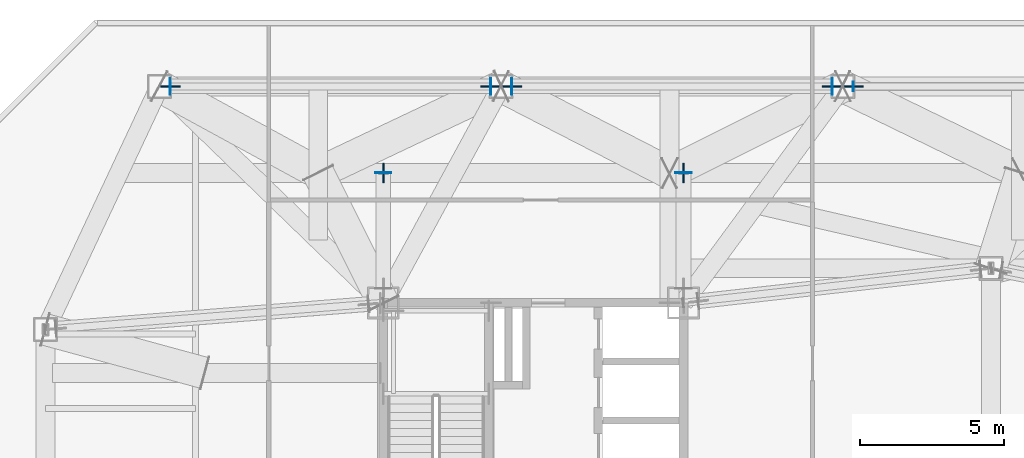
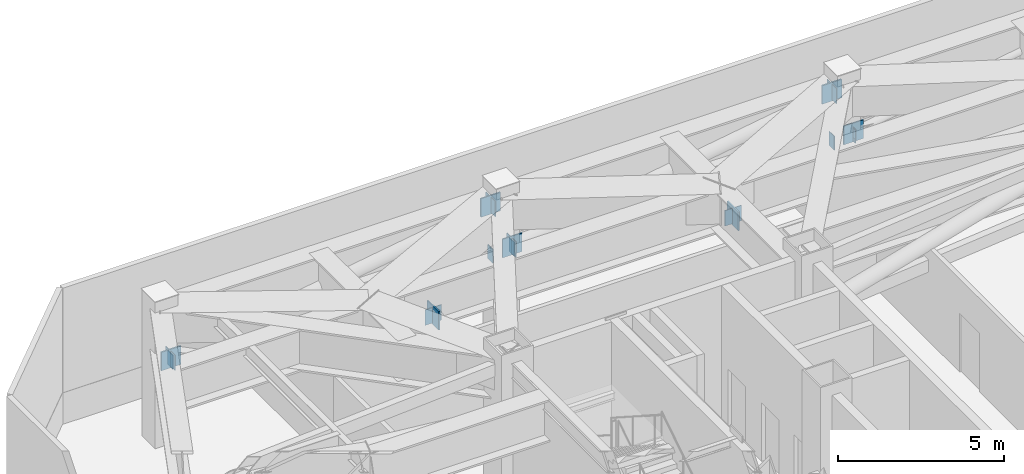
# One storey, part 12 of 19: 19 plates.
"""IFC4 building model written with IfcOpenShell, lengths in metres."""

from ifc_helpers import new_model, si_unit, direction, frame, origin, origin_2d, place, context, subcontext, project, spatial, rectangle, extrude, material, layer, layer_set, type_object, element, save


model = new_model("IFC4")

# Units and contexts
model_context = context("Model", 3, precision=1e-05, world=origin(), true_north=direction((0.0, 1.0)))
body_context = subcontext(model_context, "Body", "Model", "MODEL_VIEW")
ifc_project = project(units=[si_unit("LENGTHUNIT", "METRE"), si_unit("AREAUNIT", "SQUARE_METRE"), si_unit("VOLUMEUNIT", "CUBIC_METRE"), si_unit("PLANEANGLEUNIT", "RADIAN"), si_unit("MASSUNIT", "GRAM", prefix="KILO")], contexts=[model_context])

# Site, building, storey
site_placement = place(None, origin())
site = spatial("IfcSite", under=ifc_project, at=site_placement, CompositionType="ELEMENT")
building_placement = place(site_placement, origin())
building = spatial("IfcBuilding", under=site, at=building_placement, Name="Khamvora Tower", CompositionType="ELEMENT")
storey_placement = place(building_placement, frame((0.0, 0.0, 211.800048828125)))
storey = spatial("IfcBuildingStorey", under=building, at=storey_placement, Name="L54", CompositionType="ELEMENT", Elevation=211.800048828125)

# Plates
ifc_material_1 = material(Name="Steel S355", Category="steel")
ifc_layer_1 = layer(ifc_material_1, 0.02490234375)
ifc_layer_set_1 = layer_set([ifc_layer_1], Name="Steel S355")
plate_type_1 = type_object("IfcPlateType", Name="PL-CAP-25", PredefinedType="SHEET", material=ifc_layer_set_1)
for number, where, z_axis, x_axis, name in (
    (1, (21.616943359375, 44.5, 2.5048828125), (0.0, 0.0, 1.0), (1.0, 0.0, 0.0), "L54 hollow section steel end cap plate 1046"),
    (2, (32.716064453125, 44.5, 2.5048828125), (0.0, 0.0, 1.0), (1.0, 0.0, 0.0), "L54 hollow section steel end cap plate 1047"),
):
    element("IfcPlate", number, at=place(storey_placement, frame(where, z_axis=z_axis, x_axis=x_axis)), inside=storey, type_object=plate_type_1, Name=name, PredefinedType="SHEET", context=body_context, shape_type="SweptSolid", body=[
        extrude(rectangle(XDim=0.02490234375, YDim=0.31005859375, at=origin_2d()), origin(), (0.0, 0.0, 1.0), 0.510009765625),
    ])
for number, where, z_axis, x_axis, name in (
    (3, (21.613037109375, 44.5, 2.53271484375), (0.0, 0.0, 1.0), (1.0, 0.0, 0.0), "L54 hollow section steel end cap plate 1048"),
    (4, (32.719970703125, 44.5, 4.2890625), (0.0, 0.0, 1.0), (1.0, 0.0, 0.0), "L54 hollow section steel end cap plate 1049"),
):
    element("IfcPlate", number, at=place(storey_placement, frame(where, z_axis=z_axis, x_axis=x_axis)), inside=storey, type_object=plate_type_1, Name=name, PredefinedType="SHEET", context=body_context, shape_type="SweptSolid", body=[
        extrude(rectangle(XDim=0.02490234375, YDim=0.568115234375, at=origin_2d()), origin(), (0.0, 0.0, 1.0), 0.568115234375),
    ])
for number, where, z_axis, x_axis, name in (
    (5, (33.449951171875, 44.5, 2.5048828125), (0.0, 0.0, 1.0), (1.0, 0.0, 0.0), "L54 hollow section steel end cap plate 1050"),
    (6, (44.550048828125, 44.5, 2.5048828125), (0.0, 0.0, 1.0), (1.0, 0.0, 0.0), "L54 hollow section steel end cap plate 1051"),
):
    element("IfcPlate", number, at=place(storey_placement, frame(where, z_axis=z_axis, x_axis=x_axis)), inside=storey, type_object=plate_type_1, Name=name, PredefinedType="SHEET", context=body_context, shape_type="SweptSolid", body=[
        extrude(rectangle(XDim=0.02490234375, YDim=0.31005859375, at=origin_2d()), origin(), (0.0, 0.0, 1.0), 0.510009765625),
    ])
for number, where, z_axis, x_axis, name in (
    (7, (33.446044921875, 44.5, 2.53271484375), (0.0, 0.0, 1.0), (1.0, 0.0, 0.0), "L54 hollow section steel end cap plate 1052"),
    (8, (44.553955078125, 44.5, 4.2890625), (0.0, 0.0, 1.0), (1.0, 0.0, 0.0), "L54 hollow section steel end cap plate 1053"),
):
    element("IfcPlate", number, at=place(storey_placement, frame(where, z_axis=z_axis, x_axis=x_axis)), inside=storey, type_object=plate_type_1, Name=name, PredefinedType="SHEET", context=body_context, shape_type="SweptSolid", body=[
        extrude(rectangle(XDim=0.02490234375, YDim=0.568115234375, at=origin_2d()), origin(), (0.0, 0.0, 1.0), 0.568115234375),
    ])
plate_1_placement = place(storey_placement, frame((45.283935546875, 44.5, 2.5048828125), z_axis=(0.0, 0.0, 1.0), x_axis=(1.0, 0.0, 0.0)))
element("IfcPlate", 9, at=plate_1_placement, inside=storey, type_object=plate_type_1, Name="L54 hollow section steel end cap plate 1054", PredefinedType="SHEET", context=body_context, shape_type="SweptSolid", body=[
    extrude(rectangle(XDim=0.02490234375, YDim=0.31005859375, at=origin_2d()), origin(), (0.0, 0.0, 1.0), 0.510009765625),
])
for number, where, z_axis, x_axis, name in (
    (10, (29.0, 41.511962890625, 3.34912109375), (0.0, 0.0, 1.0), (0.0, 1.0, 0.0), "L54 hollow section steel end cap plate 1066"),
    (11, (39.39990234375, 41.511962890625, 3.34912109375), (0.0, 0.0, 1.0), (0.0, 1.0, 0.0), "L54 hollow section steel end cap plate 1068"),
):
    element("IfcPlate", number, at=place(storey_placement, frame(where, z_axis=z_axis, x_axis=x_axis)), inside=storey, type_object=plate_type_1, Name=name, PredefinedType="SHEET", context=body_context, shape_type="SweptSolid", body=[
        extrude(rectangle(XDim=0.02490234375, YDim=0.568115234375, at=origin_2d()), origin(), (0.0, 0.0, 1.0), 0.568115234375),
    ])
plate_2_placement = place(storey_placement, frame((45.280029296875, 44.5, 2.653564453125), z_axis=(0.0, 0.0, 1.0), x_axis=(1.0, 0.0, 0.0)))
element("IfcPlate", 12, at=plate_2_placement, inside=storey, type_object=plate_type_1, Name="L54 hollow section steel end cap plate 1128", PredefinedType="SHEET", context=body_context, shape_type="SweptSolid", body=[
    extrude(rectangle(XDim=0.02490234375, YDim=0.3330078125, at=origin_2d()), origin(), (0.0, 0.0, 1.0), 0.3330078125),
])
ifc_material_2 = material(Name="Steel S460", Category="steel")
ifc_layer_2 = layer(ifc_material_2, 0.050048828125)
ifc_layer_set_2 = layer_set([ifc_layer_2], Name="Steel S460")
plate_type_2 = type_object("IfcPlateType", Name="PLT-GUS-50", PredefinedType="SHEET", material=ifc_layer_set_2)
for number, where, z_axis, x_axis, name in (
    (13, (21.625, 44.5, 2.47900390625), (0.0, 0.0, 1.0), (1.0, 0.0, 0.0), "L54 brace connection node gusset plate 0349"),
    (14, (32.7080078125, 44.5, 4.23095703125), (0.0, 0.0, 1.0), (1.0, 0.0, 0.0), "L54 brace connection node gusset plate 0350"),
    (15, (33.4580078125, 44.5, 2.47900390625), (0.0, 0.0, 1.0), (1.0, 0.0, 0.0), "L54 brace connection node gusset plate 0351"),
    (16, (44.5419921875, 44.5, 4.23095703125), (0.0, 0.0, 1.0), (1.0, 0.0, 0.0), "L54 brace connection node gusset plate 0352"),
    (17, (29.0, 41.5, 3.2900390625), (0.0, 0.0, 1.0), (0.0, 1.0, 0.0), "L54 brace connection node gusset plate 0360"),
    (18, (39.39990234375, 41.5, 3.2900390625), (0.0, 0.0, 1.0), (0.0, 1.0, 0.0), "L54 brace connection node gusset plate 0362"),
    (19, (45.2919921875, 44.5, 2.48193359375), (0.0, 0.0, 1.0), (1.0, 0.0, 0.0), "L54 brace connection node gusset plate 0371"),
):
    element("IfcPlate", number, at=place(storey_placement, frame(where, z_axis=z_axis, x_axis=x_axis)), inside=storey, type_object=plate_type_2, Name=name, PredefinedType="SHEET", context=body_context, shape_type="SweptSolid", body=[
        extrude(rectangle(XDim=0.679931640625, YDim=0.050048828125, at=origin_2d()), origin(), (0.0, 0.0, 1.0), 0.679931640625),
    ])

save(model, "model.ifc")
